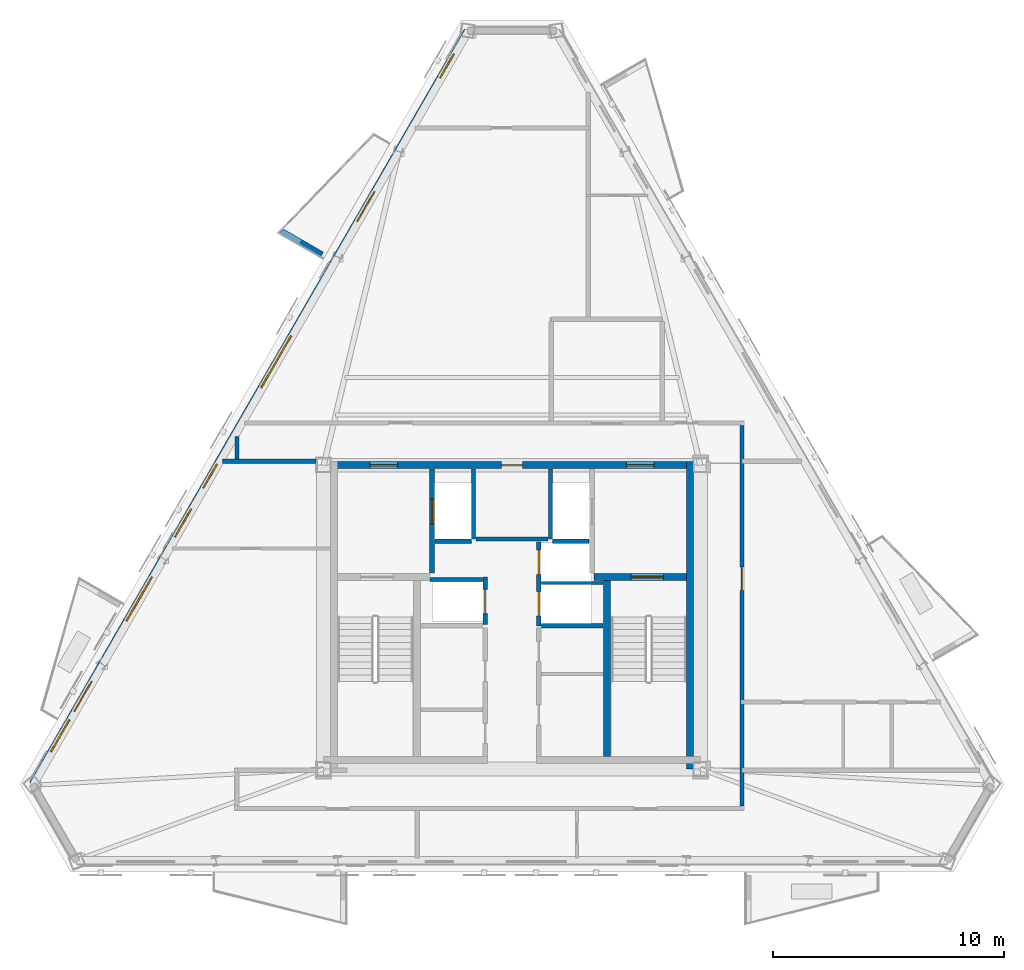
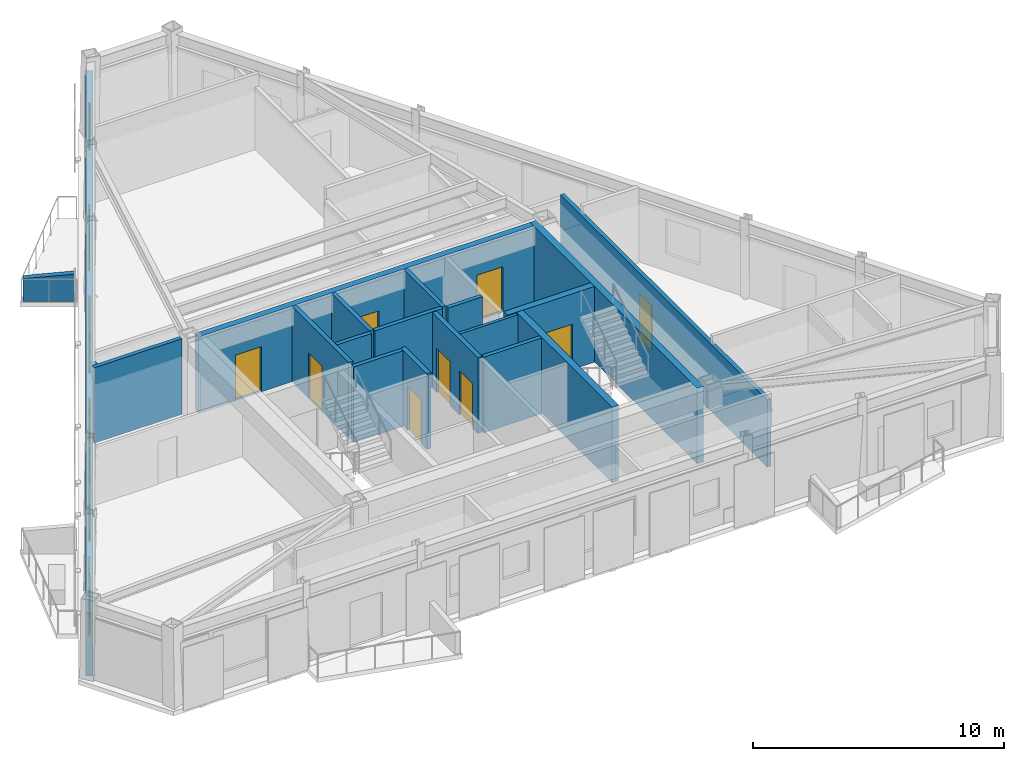
# One storey, part 3 of 9: 20 walls, 11 doors, 6 windows, 17 openings.
"""IFC4 building model written with IfcOpenShell, lengths in metres."""

from ifc_helpers import new_model, si_unit, direction, frame, frame_2d, origin, place, context, subcontext, project, spatial, polyline, rectangle, outline, extrude, material, layer, layer_set, type_object, element, fill, save


model = new_model("IFC4")

# Units and contexts
model_context = context("Model", 3, precision=1e-05, world=origin(), true_north=direction((0.0, 1.0)))
body_context = subcontext(model_context, "Body", "Model", "MODEL_VIEW")
ifc_project = project(units=[si_unit("LENGTHUNIT", "METRE"), si_unit("AREAUNIT", "SQUARE_METRE"), si_unit("VOLUMEUNIT", "CUBIC_METRE"), si_unit("PLANEANGLEUNIT", "RADIAN"), si_unit("MASSUNIT", "GRAM", prefix="KILO")], contexts=[model_context])

# Site, building, storey
site_placement = place(None, origin())
site = spatial("IfcSite", under=ifc_project, at=site_placement, CompositionType="ELEMENT")
building_placement = place(site_placement, origin())
building = spatial("IfcBuilding", under=site, at=building_placement, Name="Oramaril Tower", CompositionType="ELEMENT")
storey_placement = place(building_placement, frame((0.0, 0.0, 301.199951171875)))
storey = spatial("IfcBuildingStorey", under=building, at=storey_placement, Name="L79", CompositionType="ELEMENT", Elevation=301.199951171875)

# Wall, openings, doors, windows
ifc_material_1 = material(Name="Warm Cream Limestone", Category="masonry")
ifc_layer_1 = layer(ifc_material_1, 0.2900390625)
ifc_layer_set_1 = layer_set([ifc_layer_1], Name="WT-EXT29")
wall_type_1 = type_object("IfcWallType", Name="WT-EXT29", PredefinedType="SOLIDWALL", material=ifc_layer_set_1)
wall_1_placement = place(storey_placement, frame((35.567626953125, 42.95751953125, 0.0), z_axis=(0.0, 0.0, 1.0), x_axis=(-0.499999872078, -0.86602547764, 0.0)))
wall_1 = element("IfcWall", 1, at=wall_1_placement, inside=storey, type_object=wall_type_1, Name="L79 Tower Limestone Facade Wall 6M", PredefinedType="SOLIDWALL", context=body_context, shape_type="SweptSolid", body=[
    extrude(rectangle(XDim=37.65771484375, YDim=0.2900390625, at=frame_2d((18.828857421875, 0.0))), origin(), (0.0, 0.0, 1.0), 3.05810546875),
])
opening_1_placement = place(wall_1_placement, frame((8.034423828125, 0.0, 0.0)))
opening_1 = element("IfcOpeningElement", 2, at=opening_1_placement, cuts=wall_1, Name="Opening D-L79-BAL-NW1", PredefinedType="OPENING", context=body_context, shape_type="SweptSolid", body=[
    extrude(rectangle(XDim=1.5, YDim=2.199951171875, at=frame_2d((0.75, 1.10009765625))), frame((0.0, 0.14501953125, 0.0), z_axis=(0.0, -1.0, 0.0), x_axis=(1.0, 0.0, 0.0)), (0.0, 0.0, 1.0), 0.2900390625),
])
opening_2_placement = place(wall_1_placement, frame((32.518310546875, 0.0, 0.0)))
opening_2 = element("IfcOpeningElement", 3, at=opening_2_placement, cuts=wall_1, Name="Opening D-L79-BAL-NW2", PredefinedType="OPENING", context=body_context, shape_type="SweptSolid", body=[
    extrude(rectangle(XDim=1.5, YDim=2.199951171875, at=frame_2d((0.75, 1.10009765625))), frame((0.0, 0.14501953125, 0.0), z_axis=(0.0, -1.0, 0.0), x_axis=(1.0, 0.0, 0.0)), (0.0, 0.0, 1.0), 0.2900390625),
])
opening_3_placement = place(wall_1_placement, frame((27.30322265625, 0.0, 0.85009765625)))
opening_3 = element("IfcOpeningElement", 4, at=opening_3_placement, cuts=wall_1, Name="Opening WN-04", PredefinedType="OPENING", context=body_context, shape_type="SweptSolid", body=[
    extrude(rectangle(XDim=2.199951171875, YDim=1.85009765625, at=frame_2d((1.10009765625, 0.925048828125))), frame((0.0, 0.14501953125, 0.0), z_axis=(0.0, -1.0, 0.0), x_axis=(1.0, 0.0, 0.0)), (0.0, 0.0, 1.0), 0.2900390625),
])
opening_4_placement = place(wall_1_placement, frame((34.436767578125, 0.0, 0.85009765625)))
opening_4 = element("IfcOpeningElement", 5, at=opening_4_placement, cuts=wall_1, Name="Opening WN-07", PredefinedType="OPENING", context=body_context, shape_type="SweptSolid", body=[
    extrude(rectangle(XDim=1.60009765625, YDim=1.699951171875, at=frame_2d((0.800048828125, 0.85009765625))), frame((0.0, 0.14501953125, 0.0), z_axis=(0.0, -1.0, 0.0), x_axis=(1.0, 0.0, 0.0)), (0.0, 0.0, 1.0), 0.2900390625),
])
opening_5_placement = place(wall_1_placement, frame((21.65478515625, 0.0, 0.85009765625)))
opening_5 = element("IfcOpeningElement", 6, at=opening_5_placement, cuts=wall_1, Name="Opening WN-09", PredefinedType="OPENING", context=body_context, shape_type="SweptSolid", body=[
    extrude(rectangle(XDim=1.199951171875, YDim=1.47998046875, at=frame_2d((0.60009765625, 0.739990234375))), frame((0.0, 0.14501953125, 0.0), z_axis=(0.0, -1.0, 0.0), x_axis=(1.0, 0.0, 0.0)), (0.0, 0.0, 1.0), 0.2900390625),
])
opening_6_placement = place(wall_1_placement, frame((23.90087890625, 0.0, 0.85009765625)))
opening_6 = element("IfcOpeningElement", 7, at=opening_6_placement, cuts=wall_1, Name="Opening WN-08", PredefinedType="OPENING", context=body_context, shape_type="SweptSolid", body=[
    extrude(rectangle(XDim=1.39990234375, YDim=1.60009765625, at=frame_2d((0.699951171875, 0.800048828125))), frame((0.0, 0.14501953125, 0.0), z_axis=(0.0, -1.0, 0.0), x_axis=(1.0, 0.0, 0.0)), (0.0, 0.0, 1.0), 0.2900390625),
])
opening_7_placement = place(wall_1_placement, frame((15.24560546875, 0.0, 0.85009765625)))
opening_7 = element("IfcOpeningElement", 8, at=opening_7_placement, cuts=wall_1, Name="Opening WN-02", PredefinedType="OPENING", context=body_context, shape_type="SweptSolid", body=[
    extrude(rectangle(XDim=2.60009765625, YDim=1.949951171875, at=frame_2d((1.300048828125, 0.97509765625))), frame((0.0, 0.14501953125, 0.0), z_axis=(0.0, -1.0, 0.0), x_axis=(1.0, 0.0, 0.0)), (0.0, 0.0, 1.0), 0.2900390625),
])
opening_8_placement = place(wall_1_placement, frame((1.163818359375, 0.0, 0.85009765625)))
opening_8 = element("IfcOpeningElement", 9, at=opening_8_placement, cuts=wall_1, Name="Opening WN-09", PredefinedType="OPENING", context=body_context, shape_type="SweptSolid", body=[
    extrude(rectangle(XDim=1.199951171875, YDim=1.47998046875, at=frame_2d((0.60009765625, 0.739990234375))), frame((0.0, 0.14501953125, 0.0), z_axis=(0.0, -1.0, 0.0), x_axis=(1.0, 0.0, 0.0)), (0.0, 0.0, 1.0), 0.2900390625),
])
ifc_material_2 = material(Name="Anodised Aluminium 6063-T6", Category="aluminium")
door_type_1 = type_object("IfcDoorType", Name="DT-BAL", OperationType="NOTDEFINED", PredefinedType="DOOR", material=ifc_material_2)
door_1_placement = place(opening_1_placement, origin())
door_1 = element("IfcDoor", 10, at=door_1_placement, inside=storey, type_object=door_type_1, Name="L79 Balcony Glazed Door L79-BAL-NW1", OperationType="SINGLE_SWING_RIGHT", OverallHeight=2.199951171875, OverallWidth=1.5, PredefinedType="DOOR", context=body_context, shape_type="SweptSolid", body=[
    extrude(rectangle(XDim=1.5, YDim=2.199951171875, at=frame_2d((0.75, 1.10009765625))), frame((0.0, 0.02490234375, 0.0), z_axis=(0.0, -1.0, 0.0), x_axis=(1.0, 0.0, 0.0)), (0.0, 0.0, 1.0), 0.050048828125),
])
fill(opening_1, door_1)
door_2_placement = place(opening_2_placement, origin())
door_2 = element("IfcDoor", 11, at=door_2_placement, inside=storey, type_object=door_type_1, Name="L79 Balcony Glazed Door L79-BAL-NW2", OperationType="SINGLE_SWING_LEFT", OverallHeight=2.199951171875, OverallWidth=1.5, PredefinedType="DOOR", context=body_context, shape_type="SweptSolid", body=[
    extrude(rectangle(XDim=1.5, YDim=2.199951171875, at=frame_2d((0.75, 1.10009765625))), frame((0.0, 0.02490234375, 0.0), z_axis=(0.0, -1.0, 0.0), x_axis=(1.0, 0.0, 0.0)), (0.0, 0.0, 1.0), 0.050048828125),
])
fill(opening_2, door_2)
ifc_material_3 = material(Name="Coastal Low-E Insulated Glass", Category="glass")
window_type_1 = type_object("IfcWindowType", Name="WNT-02", PartitioningType="SINGLE_PANEL", PredefinedType="WINDOW", material=ifc_material_3)
window_1_placement = place(opening_7_placement, origin())
window_1 = element("IfcWindow", 12, at=window_1_placement, inside=storey, type_object=window_type_1, Name="L79 Chicago Bay Window WN-02", OverallHeight=1.949951171875, OverallWidth=2.60009765625, PartitioningType="SINGLE_PANEL", PredefinedType="WINDOW", context=body_context, shape_type="SweptSolid", body=[
    extrude(rectangle(XDim=2.60009765625, YDim=1.949951171875, at=frame_2d((1.300048828125, 0.97509765625))), frame((0.0, 0.030029296875, 0.0), z_axis=(0.0, -1.0, 0.0), x_axis=(1.0, 0.0, 0.0)), (0.0, 0.0, 1.0), 0.06005859375),
])
fill(opening_7, window_1)
ifc_material_4 = material(Name="Coastal Low-E Insulated Glass", Category="glass")
window_type_2 = type_object("IfcWindowType", Name="WNT-04", PartitioningType="SINGLE_PANEL", PredefinedType="WINDOW", material=ifc_material_4)
window_2_placement = place(opening_3_placement, origin())
window_2 = element("IfcWindow", 13, at=window_2_placement, inside=storey, type_object=window_type_2, Name="L79 Chicago Bay Window WN-04", OverallHeight=1.85009765625, OverallWidth=2.199951171875, PartitioningType="SINGLE_PANEL", PredefinedType="WINDOW", context=body_context, shape_type="SweptSolid", body=[
    extrude(rectangle(XDim=2.199951171875, YDim=1.85009765625, at=frame_2d((1.10009765625, 0.925048828125))), frame((0.0, 0.030029296875, 0.0), z_axis=(0.0, -1.0, 0.0), x_axis=(1.0, 0.0, 0.0)), (0.0, 0.0, 1.0), 0.06005859375),
])
fill(opening_3, window_2)
ifc_material_5 = material(Name="Coastal Low-E Insulated Glass", Category="glass")
window_type_3 = type_object("IfcWindowType", Name="WNT-07", PartitioningType="SINGLE_PANEL", PredefinedType="WINDOW", material=ifc_material_5)
window_3_placement = place(opening_4_placement, origin())
window_3 = element("IfcWindow", 14, at=window_3_placement, inside=storey, type_object=window_type_3, Name="L79 Chicago Bay Window WN-07", OverallHeight=1.699951171875, OverallWidth=1.60009765625, PartitioningType="SINGLE_PANEL", PredefinedType="WINDOW", context=body_context, shape_type="SweptSolid", body=[
    extrude(rectangle(XDim=1.60009765625, YDim=1.699951171875, at=frame_2d((0.800048828125, 0.85009765625))), frame((0.0, 0.030029296875, 0.0), z_axis=(0.0, -1.0, 0.0), x_axis=(1.0, 0.0, 0.0)), (0.0, 0.0, 1.0), 0.06005859375),
])
fill(opening_4, window_3)
ifc_material_6 = material(Name="Coastal Low-E Insulated Glass", Category="glass")
window_type_4 = type_object("IfcWindowType", Name="WNT-08", PartitioningType="SINGLE_PANEL", PredefinedType="WINDOW", material=ifc_material_6)
window_4_placement = place(opening_6_placement, origin())
window_4 = element("IfcWindow", 15, at=window_4_placement, inside=storey, type_object=window_type_4, Name="L79 Chicago Bay Window WN-08", OverallHeight=1.60009765625, OverallWidth=1.39990234375, PartitioningType="SINGLE_PANEL", PredefinedType="WINDOW", context=body_context, shape_type="SweptSolid", body=[
    extrude(rectangle(XDim=1.39990234375, YDim=1.60009765625, at=frame_2d((0.699951171875, 0.800048828125))), frame((0.0, 0.030029296875, 0.0), z_axis=(0.0, -1.0, 0.0), x_axis=(1.0, 0.0, 0.0)), (0.0, 0.0, 1.0), 0.06005859375),
])
fill(opening_6, window_4)
ifc_material_7 = material(Name="Coastal Low-E Insulated Glass", Category="glass")
window_type_5 = type_object("IfcWindowType", Name="WNT-09", PartitioningType="SINGLE_PANEL", PredefinedType="WINDOW", material=ifc_material_7)
window_5_placement = place(opening_5_placement, origin())
window_5 = element("IfcWindow", 16, at=window_5_placement, inside=storey, type_object=window_type_5, Name="L79 Chicago Bay Window WN-09", OverallHeight=1.47998046875, OverallWidth=1.199951171875, PartitioningType="SINGLE_PANEL", PredefinedType="WINDOW", context=body_context, shape_type="SweptSolid", body=[
    extrude(rectangle(XDim=1.199951171875, YDim=1.47998046875, at=frame_2d((0.60009765625, 0.739990234375))), frame((0.0, 0.030029296875, 0.0), z_axis=(0.0, -1.0, 0.0), x_axis=(1.0, 0.0, 0.0)), (0.0, 0.0, 1.0), 0.06005859375),
])
fill(opening_5, window_5)
window_6_placement = place(opening_8_placement, origin())
window_6 = element("IfcWindow", 17, at=window_6_placement, inside=storey, type_object=window_type_5, Name="L79 Chicago Bay Window WN-09", OverallHeight=1.47998046875, OverallWidth=1.199951171875, PartitioningType="SINGLE_PANEL", PredefinedType="WINDOW", context=body_context, shape_type="SweptSolid", body=[
    extrude(rectangle(XDim=1.199951171875, YDim=1.47998046875, at=frame_2d((0.60009765625, 0.739990234375))), frame((0.0, 0.030029296875, 0.0), z_axis=(0.0, -1.0, 0.0), x_axis=(1.0, 0.0, 0.0)), (0.0, 0.0, 1.0), 0.06005859375),
])
fill(opening_8, window_6)

# Walls
ifc_material_8 = material(Name="Concrete C40/50", Category="concrete")
ifc_layer_2 = layer(ifc_material_8, 0.22998046875)
ifc_layer_set_2 = layer_set([ifc_layer_2], Name="WT-PRP23")
wall_type_2 = type_object("IfcWallType", Name="WT-PRP23", PredefinedType="PARAPET", material=ifc_layer_set_2)
wall_2_placement = place(storey_placement, frame((29.284912109375, 33.271728515625, 0.0), z_axis=(0.0, 0.0, 1.0), x_axis=(-0.866012356593, 0.500022597718, 0.0)))
element("IfcWall", 18, at=wall_2_placement, inside=storey, type_object=wall_type_2, Name="L79 Trapezoidal Balcony Frame Cheek L79-BAL-NW1-R", PredefinedType="PARAPET", context=body_context, shape_type="SweptSolid", body=[
    extrude(outline(polyline([(0.0, 0.0), (2.0419921875, 0.0), (2.0419921875, 1.10009765625), (0.0, 1.320068359375), (0.0, 0.0)])), frame((0.0, 0.114990234375, 0.0), z_axis=(0.0, -1.0, 0.0), x_axis=(1.0, 0.0, 0.0)), (0.0, 0.0, 1.0), 0.22998046875),
])
ifc_material_9 = material(Name="Acoustic Gypsum Board Partition")
ifc_layer_3 = layer(ifc_material_9, 0.139892578125)
ifc_layer_set_3 = layer_set([ifc_layer_3], Name="WT-PT14")
wall_type_3 = type_object("IfcWallType", Name="WT-PT14", PredefinedType="PARTITIONING", material=ifc_layer_set_3)
wall_3_placement = place(storey_placement, frame((38.780029296875, 19.050048828125, 0.0), z_axis=(0.0, 0.0, 1.0), x_axis=(1.0, 0.0, 0.0)))
element("IfcWall", 19, at=wall_3_placement, inside=storey, type_object=wall_type_3, Name="L79 High-Rise Lift H2-H3 Divider", PredefinedType="PARTITIONING", context=body_context, shape_type="SweptSolid", body=[
    extrude(rectangle(XDim=2.659912109375, YDim=0.139892578125, at=frame_2d((1.330078125, 0.0))), origin(), (0.0, 0.0, 1.0), 3.679931640625),
])
ifc_material_10 = material(Name="Autoclaved Cellular Concrete Block", Category="concrete")
ifc_layer_4 = layer(ifc_material_10, 0.179931640625)
ifc_layer_set_4 = layer_set([ifc_layer_4], Name="WT-PT18")
wall_type_4 = type_object("IfcWallType", Name="WT-PT18", PredefinedType="PARTITIONING", material=ifc_layer_set_4)
wall_4_placement = place(storey_placement, frame((35.840087890625, 20.9599609375, 0.0), z_axis=(0.0, 0.0, 1.0), x_axis=(0.0, 1.0, 0.0)))
element("IfcWall", 20, at=wall_4_placement, inside=storey, type_object=wall_type_4, Name="L79 FL-1 East Shaft Wall", PredefinedType="PARTITIONING", context=body_context, shape_type="SweptSolid", body=[
    extrude(rectangle(XDim=3.02001953125, YDim=0.179931640625, at=frame_2d((1.510009765625, 0.0))), origin(), (0.0, 0.0, 1.0), 3.679931640625),
])
wall_5_placement = place(storey_placement, frame((34.159912109375, 20.860107421875, 0.0), z_axis=(0.0, 0.0, 1.0), x_axis=(1.0, 0.0, 0.0)))
element("IfcWall", 21, at=wall_5_placement, inside=storey, type_object=wall_type_4, Name="L79 FL-1 South Shaft Wall", PredefinedType="PARTITIONING", context=body_context, shape_type="SweptSolid", body=[
    extrude(rectangle(XDim=1.580078125, YDim=0.179931640625, at=frame_2d((0.7900390625, 0.0))), origin(), (0.0, 0.0, 1.0), 3.679931640625),
])
wall_6_placement = place(storey_placement, frame((39.159912109375, 20.9599609375, 0.0), z_axis=(0.0, 0.0, 1.0), x_axis=(0.0, 1.0, 0.0)))
element("IfcWall", 22, at=wall_6_placement, inside=storey, type_object=wall_type_4, Name="L79 FL-2 West Shaft Wall", PredefinedType="PARTITIONING", context=body_context, shape_type="SweptSolid", body=[
    extrude(rectangle(XDim=3.02001953125, YDim=0.179931640625, at=frame_2d((1.510009765625, 0.0))), origin(), (0.0, 0.0, 1.0), 3.679931640625),
])
wall_7_placement = place(storey_placement, frame((39.260009765625, 20.860107421875, 0.0), z_axis=(0.0, 0.0, 1.0), x_axis=(1.0, 0.0, 0.0)))
element("IfcWall", 23, at=wall_7_placement, inside=storey, type_object=wall_type_4, Name="L79 FL-2 South Shaft Wall", PredefinedType="PARTITIONING", context=body_context, shape_type="SweptSolid", body=[
    extrude(rectangle(XDim=1.580078125, YDim=0.179931640625, at=frame_2d((0.7900390625, 0.0))), origin(), (0.0, 0.0, 1.0), 3.679931640625),
])
wall_8_placement = place(storey_placement, frame((33.949951171875, 19.199951171875, 0.0), z_axis=(0.0, 0.0, 1.0), x_axis=(1.0, 0.0, 0.0)))
element("IfcWall", 24, at=wall_8_placement, inside=storey, type_object=wall_type_4, Name="L79 High-Rise Lift H1 North Shaft Wall", PredefinedType="PARTITIONING", context=body_context, shape_type="SweptSolid", body=[
    extrude(rectangle(XDim=2.27001953125, YDim=0.179931640625, at=frame_2d((1.135009765625, 0.0))), origin(), (0.0, 0.0, 1.0), 3.679931640625),
])
wall_9_placement = place(storey_placement, frame((38.780029296875, 17.199951171875, 0.0), z_axis=(0.0, 0.0, 1.0), x_axis=(1.0, 0.0, 0.0)))
element("IfcWall", 25, at=wall_9_placement, inside=storey, type_object=wall_type_4, Name="L79 High-Rise Lift H2 South Wall", PredefinedType="PARTITIONING", context=body_context, shape_type="SweptSolid", body=[
    extrude(rectangle(XDim=2.659912109375, YDim=0.179931640625, at=frame_2d((1.330078125, 0.0))), origin(), (0.0, 0.0, 1.0), 3.679931640625),
])
wall_10_placement = place(storey_placement, frame((35.949951171875, 20.949951171875, 0.0), z_axis=(0.0, 0.0, 1.0), x_axis=(1.0, 0.0, 0.0)))
element("IfcWall", 26, at=wall_10_placement, inside=storey, type_object=wall_type_4, Name="L79 Lift Lobby North Partition", PredefinedType="PARTITIONING", context=body_context, shape_type="SweptSolid", body=[
    extrude(rectangle(XDim=3.10009765625, YDim=0.179931640625, at=frame_2d((1.550048828125, 0.0))), origin(), (0.0, 0.0, 1.0), 3.679931640625),
])
wall_11_placement = place(storey_placement, frame((24.979248046875, 24.320068359375, 0.0), z_axis=(0.0, 0.0, 1.0), x_axis=(1.0, 0.0, 0.0)))
element("IfcWall", 27, at=wall_11_placement, inside=storey, type_object=wall_type_4, Name="L79 Interior Partition PT-18", PredefinedType="PARTITIONING", context=body_context, shape_type="SweptSolid", body=[
    extrude(rectangle(XDim=4.03076171875, YDim=0.179931640625, at=frame_2d((2.015380859375, 0.0))), origin(), (0.0, 0.0, 1.0), 3.679931640625),
])
wall_12_placement = place(storey_placement, frame((25.60009765625, 24.4140625, 0.0), z_axis=(0.0, 0.0, 1.0), x_axis=(0.0, 1.0, 0.0)))
element("IfcWall", 28, at=wall_12_placement, inside=storey, type_object=wall_type_4, Name="L79 Interior Partition PT-18", PredefinedType="PARTITIONING", context=body_context, shape_type="SweptSolid", body=[
    extrude(rectangle(XDim=0.98095703125, YDim=0.179931640625, at=frame_2d((0.490478515625, 0.0))), origin(), (0.0, 0.0, 1.0), 3.05810546875),
])

# Wall, opening, door
wall_13_placement = place(storey_placement, frame((47.449951171875, 9.39404296875, 0.0), z_axis=(0.0, 0.0, 1.0), x_axis=(0.0, 1.0, 0.0)))
wall_13 = element("IfcWall", 29, at=wall_13_placement, inside=storey, type_object=wall_type_4, Name="L79 Interior Partition PT-18", PredefinedType="PARTITIONING", context=body_context, shape_type="SweptSolid", body=[
    extrude(rectangle(XDim=16.48193359375, YDim=0.179931640625, at=frame_2d((8.240966796875, 0.0))), origin(), (0.0, 0.0, 1.0), 3.26611328125),
])
opening_9_placement = place(wall_13_placement, frame((9.343017578125, 0.0, 0.0)))
opening_9 = element("IfcOpeningElement", 30, at=opening_9_placement, cuts=wall_13, Name="Opening D-L79-13", PredefinedType="OPENING", context=body_context, shape_type="SweptSolid", body=[
    extrude(rectangle(XDim=1.0, YDim=2.179931640625, at=frame_2d((0.5, 1.08984375))), frame((0.0, 0.08984375, 0.0), z_axis=(0.0, -1.0, 0.0), x_axis=(1.0, 0.0, 0.0)), (0.0, 0.0, 1.0), 0.179931640625),
])
ifc_material_11 = material(Name="FSC Brazilian Freijo Hardwood", Category="wood")
door_type_2 = type_object("IfcDoorType", Name="DT-APT", OperationType="NOTDEFINED", PredefinedType="DOOR", material=ifc_material_11)
door_3_placement = place(opening_9_placement, origin())
door_3 = element("IfcDoor", 31, at=door_3_placement, inside=storey, type_object=door_type_2, Name="L79 Flat L79-U3 Living and Dining Room Door D-L79-13", OperationType="SINGLE_SWING_LEFT", OverallHeight=2.179931640625, OverallWidth=1.0, PredefinedType="DOOR", context=body_context, shape_type="SweptSolid", body=[
    extrude(rectangle(XDim=1.0, YDim=2.179931640625, at=frame_2d((0.5, 1.08984375))), frame((0.0, 0.02490234375, 0.0), z_axis=(0.0, -1.0, 0.0), x_axis=(1.0, 0.0, 0.0)), (0.0, 0.0, 1.0), 0.050048828125),
])
fill(opening_9, door_3)

# Wall
ifc_material_12 = material(Name="Concrete C50/60", Category="concrete")
ifc_layer_5 = layer(ifc_material_12, 0.300048828125)
ifc_layer_set_5 = layer_set([ifc_layer_5], Name="WT-SH30")
wall_type_5 = type_object("IfcWallType", Name="WT-SH30", PredefinedType="SHEAR", material=ifc_layer_set_5)
wall_14_placement = place(storey_placement, frame((45.2099609375, 11.0, 0.0), z_axis=(0.0, 0.0, 1.0), x_axis=(0.0, 1.0, 0.0)))
element("IfcWall", 32, at=wall_14_placement, inside=storey, type_object=wall_type_5, Name="L79 Core Shear Wall CW-E", PredefinedType="SHEAR", context=body_context, shape_type="SweptSolid", body=[
    extrude(rectangle(XDim=13.300048828125, YDim=0.300048828125, at=frame_2d((6.64990234375, 0.0))), origin(), (0.0, 0.0, 1.0), 3.679931640625),
])

# Wall, openings, doors
wall_15_placement = place(storey_placement, frame((29.64990234375, 24.14990234375, 0.0), z_axis=(0.0, 0.0, 1.0), x_axis=(1.0, 0.0, 0.0)))
wall_15 = element("IfcWall", 33, at=wall_15_placement, inside=storey, type_object=wall_type_5, Name="L79 Core Shear Wall CW-N", PredefinedType="SHEAR", context=body_context, shape_type="SweptSolid", body=[
    extrude(rectangle(XDim=15.7001953125, YDim=0.300048828125, at=frame_2d((7.85009765625, 0.0))), origin(), (0.0, 0.0, 1.0), 3.679931640625),
])
opening_10_placement = place(wall_15_placement, frame((1.699951171875, 0.0, 0.0)))
opening_10 = element("IfcOpeningElement", 34, at=opening_10_placement, cuts=wall_15, Name="Opening D-L79-FFL1", PredefinedType="OPENING", context=body_context, shape_type="SweptSolid", body=[
    extrude(rectangle(XDim=1.199951171875, YDim=2.199951171875, at=frame_2d((0.60009765625, 1.10009765625))), frame((0.0, 0.14990234375, 0.0), z_axis=(0.0, -1.0, 0.0), x_axis=(1.0, 0.0, 0.0)), (0.0, 0.0, 1.0), 0.300048828125),
])
opening_11_placement = place(wall_15_placement, frame((12.800048828125, 0.0, 0.0)))
opening_11 = element("IfcOpeningElement", 35, at=opening_11_placement, cuts=wall_15, Name="Opening D-L79-FFL2", PredefinedType="OPENING", context=body_context, shape_type="SweptSolid", body=[
    extrude(rectangle(XDim=1.199951171875, YDim=2.199951171875, at=frame_2d((0.60009765625, 1.10009765625))), frame((0.0, 0.14990234375, 0.0), z_axis=(0.0, -1.0, 0.0), x_axis=(1.0, 0.0, 0.0)), (0.0, 0.0, 1.0), 0.300048828125),
])
opening_12_placement = place(wall_15_placement, frame((7.39990234375, 0.0, 0.0)))
opening_12 = element("IfcOpeningElement", 36, at=opening_12_placement, cuts=wall_15, Name="Opening D-L79-SV1", PredefinedType="OPENING", context=body_context, shape_type="SweptSolid", body=[
    extrude(rectangle(XDim=0.89990234375, YDim=2.050048828125, at=frame_2d((0.449951171875, 1.02490234375))), frame((0.0, 0.14990234375, 0.0), z_axis=(0.0, -1.0, 0.0), x_axis=(1.0, 0.0, 0.0)), (0.0, 0.0, 1.0), 0.300048828125),
])
ifc_material_13 = material(Name="Painted Galvanised Steel", Category="steel")
door_type_3 = type_object("IfcDoorType", Name="DT-FFL", OperationType="NOTDEFINED", PredefinedType="DOOR", material=ifc_material_13)
door_4_placement = place(opening_10_placement, origin())
door_4 = element("IfcDoor", 37, at=door_4_placement, inside=storey, type_object=door_type_3, Name="L79 Firefighting Lobby 1 Fire Door", OperationType="SINGLE_SWING_LEFT", OverallHeight=2.199951171875, OverallWidth=1.199951171875, PredefinedType="DOOR", context=body_context, shape_type="SweptSolid", body=[
    extrude(rectangle(XDim=1.199951171875, YDim=2.199951171875, at=frame_2d((0.60009765625, 1.10009765625))), frame((0.0, 0.02490234375, 0.0), z_axis=(0.0, -1.0, 0.0), x_axis=(1.0, 0.0, 0.0)), (0.0, 0.0, 1.0), 0.050048828125),
])
fill(opening_10, door_4)
door_5_placement = place(opening_11_placement, origin())
door_5 = element("IfcDoor", 38, at=door_5_placement, inside=storey, type_object=door_type_3, Name="L79 Firefighting Lobby 2 Fire Door", OperationType="SINGLE_SWING_RIGHT", OverallHeight=2.199951171875, OverallWidth=1.199951171875, PredefinedType="DOOR", context=body_context, shape_type="SweptSolid", body=[
    extrude(rectangle(XDim=1.199951171875, YDim=2.199951171875, at=frame_2d((0.60009765625, 1.10009765625))), frame((0.0, 0.02490234375, 0.0), z_axis=(0.0, -1.0, 0.0), x_axis=(1.0, 0.0, 0.0)), (0.0, 0.0, 1.0), 0.050048828125),
])
fill(opening_11, door_5)
ifc_material_14 = material(Name="Painted Galvanised Steel", Category="steel")
door_type_4 = type_object("IfcDoorType", Name="DT-SVC", OperationType="NOTDEFINED", PredefinedType="DOOR", material=ifc_material_14)
door_6_placement = place(opening_12_placement, origin())
door_6 = element("IfcDoor", 39, at=door_6_placement, inside=storey, type_object=door_type_4, Name="L79 Core Janitor Store Door", OperationType="SINGLE_SWING_LEFT", OverallHeight=2.050048828125, OverallWidth=0.89990234375, PredefinedType="DOOR", context=body_context, shape_type="SweptSolid", body=[
    extrude(rectangle(XDim=0.89990234375, YDim=2.050048828125, at=frame_2d((0.449951171875, 1.02490234375))), frame((0.0, 0.02490234375, 0.0), z_axis=(0.0, -1.0, 0.0), x_axis=(1.0, 0.0, 0.0)), (0.0, 0.0, 1.0), 0.050048828125),
])
fill(opening_12, door_6)

# Wall, opening, door
wall_16_placement = place(storey_placement, frame((41.050048828125, 19.31005859375, 0.0), z_axis=(0.0, 0.0, 1.0), x_axis=(1.0, 0.0, 0.0)))
wall_16 = element("IfcWall", 40, at=wall_16_placement, inside=storey, type_object=wall_type_5, Name="L79 Core Shear Wall CW-ST2N", PredefinedType="SHEAR", context=body_context, shape_type="SweptSolid", body=[
    extrude(rectangle(XDim=4.010009765625, YDim=0.300048828125, at=frame_2d((2.0048828125, 0.0))), origin(), (0.0, 0.0, 1.0), 3.679931640625),
])
opening_13_placement = place(wall_16_placement, frame((1.60009765625, 0.0, 0.0)))
opening_13 = element("IfcOpeningElement", 41, at=opening_13_placement, cuts=wall_16, Name="Opening D-L79-ST2", PredefinedType="OPENING", context=body_context, shape_type="SweptSolid", body=[
    extrude(rectangle(XDim=1.39990234375, YDim=2.199951171875, at=frame_2d((0.699951171875, 1.10009765625))), frame((0.0, 0.14990234375, 0.0), z_axis=(0.0, -1.0, 0.0), x_axis=(1.0, 0.0, 0.0)), (0.0, 0.0, 1.0), 0.300048828125),
])
ifc_material_15 = material(Name="Painted Galvanised Steel", Category="steel")
door_type_5 = type_object("IfcDoorType", Name="DT-ST", OperationType="NOTDEFINED", PredefinedType="DOOR", material=ifc_material_15)
door_7_placement = place(opening_13_placement, origin())
door_7 = element("IfcDoor", 42, at=door_7_placement, inside=storey, type_object=door_type_5, Name="L79 Protected Stair ST-2 Fire Door", OperationType="SINGLE_SWING_RIGHT", OverallHeight=2.199951171875, OverallWidth=1.39990234375, PredefinedType="DOOR", context=body_context, shape_type="SweptSolid", body=[
    extrude(rectangle(XDim=1.39990234375, YDim=2.199951171875, at=frame_2d((0.699951171875, 1.10009765625))), frame((0.0, 0.02490234375, 0.0), z_axis=(0.0, -1.0, 0.0), x_axis=(1.0, 0.0, 0.0)), (0.0, 0.0, 1.0), 0.050048828125),
])
fill(opening_13, door_7)

# Wall
wall_17_placement = place(storey_placement, frame((41.6201171875, 11.5400390625, 0.0), z_axis=(0.0, 0.0, 1.0), x_axis=(0.0, 1.0, 0.0)))
element("IfcWall", 43, at=wall_17_placement, inside=storey, type_object=wall_type_5, Name="L79 Core Shear Wall CW-ST2W", PredefinedType="SHEAR", context=body_context, shape_type="SweptSolid", body=[
    extrude(rectangle(XDim=7.619873046875, YDim=0.300048828125, at=frame_2d((3.81005859375, 0.0))), origin(), (0.0, 0.0, 1.0), 3.679931640625),
])

# Wall, opening, door
ifc_material_16 = material(Name="Autoclaved Cellular Concrete Block", Category="concrete")
ifc_layer_6 = layer(ifc_material_16, 0.199951171875)
ifc_layer_set_6 = layer_set([ifc_layer_6], Name="WT-SHF20")
wall_type_6 = type_object("IfcWallType", Name="WT-SHF20", PredefinedType="PARTITIONING", material=ifc_layer_set_6)
wall_18_placement = place(storey_placement, frame((34.0400390625, 19.47998046875, 0.0), z_axis=(0.0, 0.0, 1.0), x_axis=(0.0, 1.0, 0.0)))
wall_18 = element("IfcWall", 44, at=wall_18_placement, inside=storey, type_object=wall_type_6, Name="L79 FL-1 Lobby Shaft Wall", PredefinedType="PARTITIONING", context=body_context, shape_type="SweptSolid", body=[
    extrude(rectangle(XDim=4.5, YDim=0.199951171875, at=frame_2d((2.25, 0.0))), origin(), (0.0, 0.0, 1.0), 3.679931640625),
])
opening_14_placement = place(wall_18_placement, frame((2.1201171875, 0.0, 0.0)))
opening_14 = element("IfcOpeningElement", 45, at=opening_14_placement, cuts=wall_18, Name="Opening LD-L79-FL-1", PredefinedType="OPENING", context=body_context, shape_type="SweptSolid", body=[
    extrude(rectangle(XDim=1.10009765625, YDim=2.199951171875, at=frame_2d((0.550048828125, 1.10009765625))), frame((0.0, 0.10009765625, 0.0), z_axis=(0.0, -1.0, 0.0), x_axis=(1.0, 0.0, 0.0)), (0.0, 0.0, 1.0), 0.199951171875),
])
ifc_material_17 = material(Name="Stainless Steel 316L", Category="steel")
door_type_6 = type_object("IfcDoorType", Name="DT-LD1", OperationType="NOTDEFINED", PredefinedType="DOOR", material=ifc_material_17)
door_8_placement = place(opening_14_placement, origin())
door_8 = element("IfcDoor", 46, at=door_8_placement, inside=storey, type_object=door_type_6, Name="L79 Lift FL-1 Sliding Landing Door", OperationType="SLIDING_TO_LEFT", OverallHeight=2.199951171875, OverallWidth=1.10009765625, PredefinedType="DOOR", context=body_context, shape_type="SweptSolid", body=[
    extrude(rectangle(XDim=1.10009765625, YDim=2.199951171875, at=frame_2d((0.550048828125, 1.10009765625))), frame((0.0, 0.02490234375, 0.0), z_axis=(0.0, -1.0, 0.0), x_axis=(1.0, 0.0, 0.0)), (0.0, 0.0, 1.0), 0.050048828125),
])
fill(opening_14, door_8)

wall_19_placement = place(storey_placement, frame((36.340087890625, 17.25, 0.0), z_axis=(0.0, 0.0, 1.0), x_axis=(0.0, 1.0, 0.0)))
wall_19 = element("IfcWall", 47, at=wall_19_placement, inside=storey, type_object=wall_type_6, Name="L79 High-Rise Lift H1 Front Wall", PredefinedType="PARTITIONING", context=body_context, shape_type="SweptSolid", body=[
    extrude(rectangle(XDim=2.070068359375, YDim=0.199951171875, at=frame_2d((1.03515625, 0.0))), origin(), (0.0, 0.0, 1.0), 3.679931640625),
])
opening_15_placement = place(wall_19_placement, frame((0.47509765625, 0.0, 0.0)))
opening_15 = element("IfcOpeningElement", 48, at=opening_15_placement, cuts=wall_19, Name="Opening LD-L79-LP-H1", PredefinedType="OPENING", context=body_context, shape_type="SweptSolid", body=[
    extrude(rectangle(XDim=1.050048828125, YDim=2.14990234375, at=frame_2d((0.52490234375, 1.074951171875))), frame((0.0, 0.10009765625, 0.0), z_axis=(0.0, -1.0, 0.0), x_axis=(1.0, 0.0, 0.0)), (0.0, 0.0, 1.0), 0.199951171875),
])
ifc_material_18 = material(Name="Stainless Steel 316L", Category="steel")
door_type_7 = type_object("IfcDoorType", Name="DT-LD2", OperationType="NOTDEFINED", PredefinedType="DOOR", material=ifc_material_18)
door_9_placement = place(opening_15_placement, origin())
door_9 = element("IfcDoor", 49, at=door_9_placement, inside=storey, type_object=door_type_7, Name="L79 Lift LP-H1 Sliding Landing Door", OperationType="SLIDING_TO_LEFT", OverallHeight=2.14990234375, OverallWidth=1.050048828125, PredefinedType="DOOR", context=body_context, shape_type="SweptSolid", body=[
    extrude(rectangle(XDim=1.050048828125, YDim=2.14990234375, at=frame_2d((0.52490234375, 1.074951171875))), frame((0.0, 0.02490234375, 0.0), z_axis=(0.0, -1.0, 0.0), x_axis=(1.0, 0.0, 0.0)), (0.0, 0.0, 1.0), 0.050048828125),
])
fill(opening_15, door_9)

# Wall, openings, doors
wall_20_placement = place(storey_placement, frame((38.659912109375, 17.199951171875, 0.0), z_axis=(0.0, 0.0, 1.0), x_axis=(0.0, 1.0, 0.0)))
wall_20 = element("IfcWall", 50, at=wall_20_placement, inside=storey, type_object=wall_type_6, Name="L79 High-Rise Lift H2-H3 Front Wall", PredefinedType="PARTITIONING", context=body_context, shape_type="SweptSolid", body=[
    extrude(rectangle(XDim=3.6201171875, YDim=0.199951171875, at=frame_2d((1.81005859375, 0.0))), origin(), (0.0, 0.0, 1.0), 3.679931640625),
])
opening_16_placement = place(wall_20_placement, frame((0.425048828125, 0.0, 0.0)))
opening_16 = element("IfcOpeningElement", 51, at=opening_16_placement, cuts=wall_20, Name="Opening LD-L79-LP-H2", PredefinedType="OPENING", context=body_context, shape_type="SweptSolid", body=[
    extrude(rectangle(XDim=1.050048828125, YDim=2.14990234375, at=frame_2d((0.52490234375, 1.074951171875))), frame((0.0, 0.10009765625, 0.0), z_axis=(0.0, -1.0, 0.0), x_axis=(1.0, 0.0, 0.0)), (0.0, 0.0, 1.0), 0.199951171875),
])
opening_17_placement = place(wall_20_placement, frame((2.22509765625, 0.0, 0.0)))
opening_17 = element("IfcOpeningElement", 52, at=opening_17_placement, cuts=wall_20, Name="Opening LD-L79-LP-H3", PredefinedType="OPENING", context=body_context, shape_type="SweptSolid", body=[
    extrude(rectangle(XDim=1.050048828125, YDim=2.14990234375, at=frame_2d((0.52490234375, 1.074951171875))), frame((0.0, 0.10009765625, 0.0), z_axis=(0.0, -1.0, 0.0), x_axis=(1.0, 0.0, 0.0)), (0.0, 0.0, 1.0), 0.199951171875),
])
door_10_placement = place(opening_16_placement, origin())
door_10 = element("IfcDoor", 53, at=door_10_placement, inside=storey, type_object=door_type_7, Name="L79 Lift LP-H2 Sliding Landing Door", OperationType="SLIDING_TO_RIGHT", OverallHeight=2.14990234375, OverallWidth=1.050048828125, PredefinedType="DOOR", context=body_context, shape_type="SweptSolid", body=[
    extrude(rectangle(XDim=1.050048828125, YDim=2.14990234375, at=frame_2d((0.52490234375, 1.074951171875))), frame((0.0, 0.02490234375, 0.0), z_axis=(0.0, -1.0, 0.0), x_axis=(1.0, 0.0, 0.0)), (0.0, 0.0, 1.0), 0.050048828125),
])
fill(opening_16, door_10)
door_11_placement = place(opening_17_placement, origin())
door_11 = element("IfcDoor", 54, at=door_11_placement, inside=storey, type_object=door_type_7, Name="L79 Lift LP-H3 Sliding Landing Door", OperationType="SLIDING_TO_LEFT", OverallHeight=2.14990234375, OverallWidth=1.050048828125, PredefinedType="DOOR", context=body_context, shape_type="SweptSolid", body=[
    extrude(rectangle(XDim=1.050048828125, YDim=2.14990234375, at=frame_2d((0.52490234375, 1.074951171875))), frame((0.0, 0.02490234375, 0.0), z_axis=(0.0, -1.0, 0.0), x_axis=(1.0, 0.0, 0.0)), (0.0, 0.0, 1.0), 0.050048828125),
])
fill(opening_17, door_11)

save(model, "model.ifc")
